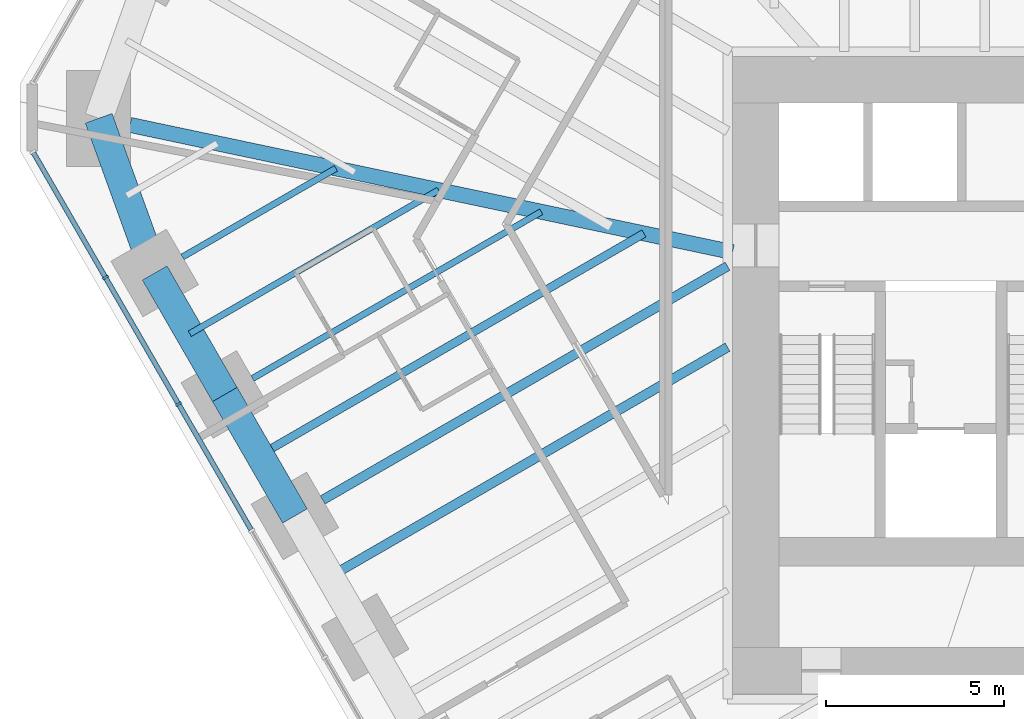
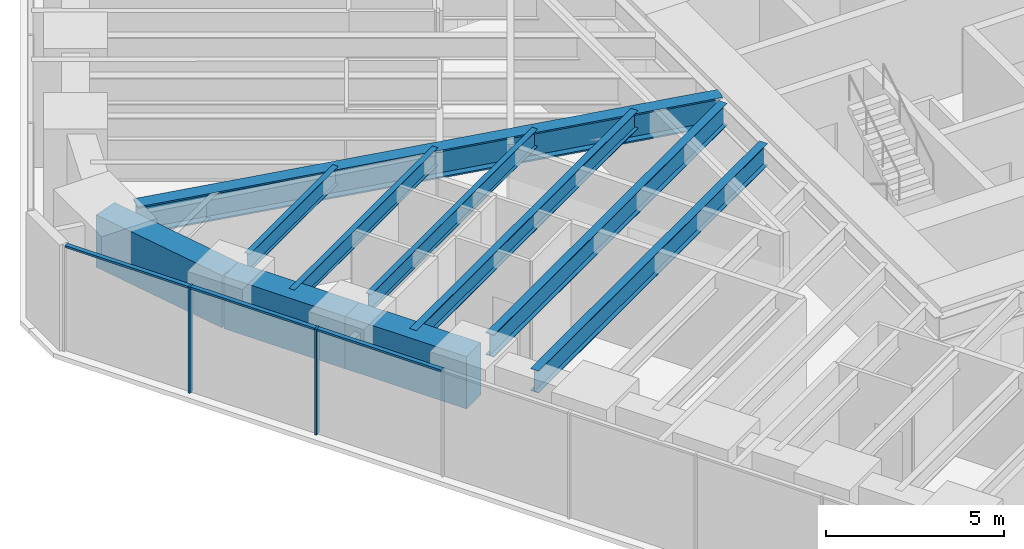
# One storey, part 3 of 17: 10 beams, 5 members, 1 element without a shape of its own.
"""IFC4 building model written with IfcOpenShell, lengths in metres."""

from ifc_helpers import new_model, si_unit, direction, frame, origin, origin_2d, place, context, subcontext, project, spatial, rectangle, i_section, extrude, material, material_profile, profile_set, type_object, element, aggregate, save


model = new_model("IFC4")

# Units and contexts
model_context = context("Model", 3, precision=1e-05, world=origin(), true_north=direction((0.0, 1.0)))
body_context = subcontext(model_context, "Body", "Model", "MODEL_VIEW")
ifc_project = project(units=[si_unit("LENGTHUNIT", "METRE"), si_unit("AREAUNIT", "SQUARE_METRE"), si_unit("VOLUMEUNIT", "CUBIC_METRE"), si_unit("PLANEANGLEUNIT", "RADIAN"), si_unit("MASSUNIT", "GRAM", prefix="KILO")], contexts=[model_context])

# Site, building, storey
site_placement = place(None, origin())
site = spatial("IfcSite", under=ifc_project, at=site_placement, CompositionType="ELEMENT")
building_placement = place(site_placement, origin())
building = spatial("IfcBuilding", under=site, at=building_placement, Name="Sandreach Pilgrim Tower", CompositionType="ELEMENT")
storey_placement = place(building_placement, frame((0.0, 0.0, 108.199951171875)))
storey = spatial("IfcBuildingStorey", under=building, at=storey_placement, Name="L26", CompositionType="ELEMENT", Elevation=108.199951171875)

# Curtain wall, members
ifc_material_1 = material(Name="Aluminium framed curtain wall", Category="aluminium")
curtain_wall_type = type_object("IfcCurtainWallType", Name="Hotel tower curtain wall", PredefinedType="NOTDEFINED", material=ifc_material_1)
curtain_wall_placement = place(storey_placement, origin())
curtain_wall = element("IfcCurtainWall", 1, at=curtain_wall_placement, inside=storey, type_object=curtain_wall_type, Name="CW-2 L26 SW", PredefinedType="NOTDEFINED")
ifc_material_2 = material(Name="Aluminium extrusion", Category="aluminium")
ifc_material_profile_1 = material_profile(ifc_material_2, rectangle(XDim=0.06494140625, YDim=0.179931640625, at=origin_2d()), Name="CW-2M 65X180")
ifc_profile_set_1 = profile_set([ifc_material_profile_1], Name="Aluminium extrusion")
member_type_1 = type_object("IfcMemberType", Name="CW-2 mullion", PredefinedType="MULLION", material=ifc_profile_set_1)
member_1_placement = place(storey_placement, frame((-24.614013671875, -2.35498046875, 0.0), z_axis=(0.0, 0.0, 1.0), x_axis=(-0.5, 0.866025403784, 0.0)))
member_1 = element("IfcMember", 2, at=member_1_placement, type_object=member_type_1, Name="CW-2 mullion 8", PredefinedType="MULLION", context=body_context, shape_type="SweptSolid", body=[
    extrude(rectangle(XDim=0.06494140625, YDim=0.179931640625, at=origin_2d()), origin(), (0.0, 0.0, 1.0), 3.64013671875),
])
member_2_placement = place(storey_placement, frame((-26.66748046875, 1.20166015625, 0.0), z_axis=(0.0, 0.0, 1.0), x_axis=(-0.5, 0.866025403784, 0.0)))
member_2 = element("IfcMember", 3, at=member_2_placement, type_object=member_type_1, Name="CW-2 mullion 9", PredefinedType="MULLION", context=body_context, shape_type="SweptSolid", body=[
    extrude(rectangle(XDim=0.06494140625, YDim=0.179931640625, at=origin_2d()), origin(), (0.0, 0.0, 1.0), 3.64013671875),
])
ifc_material_3 = material(Name="Aluminium extrusion", Category="aluminium")
ifc_material_profile_2 = material_profile(ifc_material_3, rectangle(XDim=0.139892578125, YDim=0.070068359375, at=origin_2d()), Name="CW-2T 140X70")
ifc_profile_set_2 = profile_set([ifc_material_profile_2], Name="Aluminium extrusion")
member_type_2 = type_object("IfcMemberType", Name="CW-2 transom", PredefinedType="USERDEFINED", material=ifc_profile_set_2)
member_3_placement = place(storey_placement, frame((-22.57666015625, -5.883544921875, 3.60498046875), z_axis=(-0.500023973715, 0.866011562111, 0.0), x_axis=(-0.866011562111, -0.500023973715, 0.0)))
member_3 = element("IfcMember", 4, at=member_3_placement, type_object=member_type_2, Name="CW-2 head transom 7", ObjectType="TRANSOM", PredefinedType="USERDEFINED", context=body_context, shape_type="SweptSolid", body=[
    extrude(rectangle(XDim=0.139892578125, YDim=0.070068359375, at=origin_2d()), origin(), (0.0, 0.0, 1.0), 4.041748046875),
])
member_4_placement = place(storey_placement, frame((-24.630126953125, -2.326904296875, 3.60498046875), z_axis=(-0.499997818338, 0.866026663364, 0.0), x_axis=(-0.866026663364, -0.499997818338, 0.0)))
member_4 = element("IfcMember", 5, at=member_4_placement, type_object=member_type_2, Name="CW-2 head transom 8", ObjectType="TRANSOM", PredefinedType="USERDEFINED", context=body_context, shape_type="SweptSolid", body=[
    extrude(rectangle(XDim=0.139892578125, YDim=0.070068359375, at=origin_2d()), origin(), (0.0, 0.0, 1.0), 4.0419921875),
])
member_5_placement = place(storey_placement, frame((-26.68359375, 1.229736328125, 3.60498046875), z_axis=(-0.500015851672, 0.866016251624, 0.0), x_axis=(-0.866016251624, -0.500015851672, 0.0)))
member_5 = element("IfcMember", 6, at=member_5_placement, type_object=member_type_2, Name="CW-2 head transom 9", ObjectType="TRANSOM", PredefinedType="USERDEFINED", context=body_context, shape_type="SweptSolid", body=[
    extrude(rectangle(XDim=0.139892578125, YDim=0.070068359375, at=origin_2d()), origin(), (0.0, 0.0, 1.0), 4.009521484375),
])
aggregate(curtain_wall, [member_1, member_2, member_3, member_4, member_5])

# Beams
ifc_material_4 = material(Name="Steel ASTM A992 Grade 50", Category="steel")
ifc_material_profile_3 = material_profile(ifc_material_4, i_section(OverallWidth=0.424072265625, OverallDepth=0.965087890625, WebThickness=0.028564453125, FlangeThickness=0.051025390625, at=origin_2d()), Name="W36X361")
ifc_profile_set_3 = profile_set([ifc_material_profile_3], Name="Steel ASTM A992 Grade 50")
beam_type_1 = type_object("IfcBeamType", Name="Corner girder W36X361", PredefinedType="BEAM", material=ifc_profile_set_3)
beam_1_placement = place(storey_placement, frame((-25.976806640625, 5.484619140625, 3.157470703125), z_axis=(0.978427882284, -0.206588671447, 0.0), x_axis=(0.206588671447, 0.978427882284, 0.0)))
element("IfcBeam", 7, at=beam_1_placement, inside=storey, type_object=beam_type_1, Name="BM L26 CG35", PredefinedType="BEAM", context=body_context, shape_type="SweptSolid", body=[
    extrude(i_section(OverallWidth=0.424072265625, OverallDepth=0.965087890625, WebThickness=0.028564453125, FlangeThickness=0.051025390625, at=origin_2d()), origin(), (0.0, 0.0, 1.0), 17.300048828125),
])
ifc_material_5 = material(Name="Steel ASTM A992 Grade 50", Category="steel")
ifc_material_profile_4 = material_profile(ifc_material_5, i_section(OverallWidth=0.1787109375, OverallDepth=0.60205078125, WebThickness=0.010986328125, FlangeThickness=0.014892578125, at=origin_2d()), Name="W24X62")
ifc_profile_set_4 = profile_set([ifc_material_profile_4], Name="Steel ASTM A992 Grade 50")
beam_type_2 = type_object("IfcBeamType", Name="Floor beam W24X62", PredefinedType="BEAM", material=ifc_profile_set_4)
beam_2_placement = place(storey_placement, frame((-22.534423828125, -1.63671875, 3.339111328125), z_axis=(0.866012351917, 0.500022605817, 0.0), x_axis=(-0.500022605817, 0.866012351917, 0.0)))
element("IfcBeam", 8, at=beam_2_placement, inside=storey, type_object=beam_type_2, Name="BM L26 F33", PredefinedType="BEAM", context=body_context, shape_type="SweptSolid", body=[
    extrude(i_section(OverallWidth=0.1787109375, OverallDepth=0.60205078125, WebThickness=0.010986328125, FlangeThickness=0.014892578125, at=origin_2d()), origin(), (0.0, 0.0, 1.0), 9.3642578125),
])
beam_3_placement = place(storey_placement, frame((-24.50439453125, 1.775390625, 3.339111328125), z_axis=(0.866024645457, 0.500001313459, 0.0), x_axis=(-0.500001313459, 0.866024645457, 0.0)))
element("IfcBeam", 9, at=beam_3_placement, inside=storey, type_object=beam_type_2, Name="BM L26 F34", PredefinedType="BEAM", context=body_context, shape_type="SweptSolid", body=[
    extrude(i_section(OverallWidth=0.1787109375, OverallDepth=0.60205078125, WebThickness=0.010986328125, FlangeThickness=0.014892578125, at=origin_2d()), origin(), (0.0, 0.0, 1.0), 4.9765625),
])
beam_4_placement = place(storey_placement, frame((-24.298828125, -0.380615234375, 3.339111328125), z_axis=(0.866022864518, 0.500004398112, 0.0), x_axis=(-0.500004398112, 0.866022864518, 0.0)))
element("IfcBeam", 10, at=beam_4_placement, inside=storey, type_object=beam_type_2, Name="BM L26 FM33", PredefinedType="BEAM", context=body_context, shape_type="SweptSolid", body=[
    extrude(i_section(OverallWidth=0.1787109375, OverallDepth=0.60205078125, WebThickness=0.010986328125, FlangeThickness=0.014892578125, at=origin_2d()), origin(), (0.0, 0.0, 1.0), 8.0703125),
])
ifc_material_6 = material(Name="Steel ASTM A992 Grade 50", Category="steel")
ifc_material_profile_5 = material_profile(ifc_material_6, i_section(OverallWidth=0.23046875, OverallDepth=0.6171875, WebThickness=0.01318359375, FlangeThickness=0.022216796875, at=origin_2d()), Name="W24X94")
ifc_profile_set_5 = profile_set([ifc_material_profile_5], Name="Steel ASTM A992 Grade 50")
beam_type_3 = type_object("IfcBeamType", Name="Floor beam W24X94", PredefinedType="BEAM", material=ifc_profile_set_5)
beam_5_placement = place(storey_placement, frame((-22.328857421875, -3.792724609375, 3.33154296875), z_axis=(0.866019150617, 0.500010830648, 0.0), x_axis=(-0.500010830648, 0.866019150617, 0.0)))
element("IfcBeam", 11, at=beam_5_placement, inside=storey, type_object=beam_type_3, Name="BM L26 FM32", PredefinedType="BEAM", context=body_context, shape_type="SweptSolid", body=[
    extrude(i_section(OverallWidth=0.23046875, OverallDepth=0.6171875, WebThickness=0.01318359375, FlangeThickness=0.022216796875, at=origin_2d()), origin(), (0.0, 0.0, 1.0), 12.458251953125),
])
ifc_material_7 = material(Name="Steel ASTM A992 Grade 50", Category="steel")
ifc_material_profile_6 = material_profile(ifc_material_7, i_section(OverallWidth=0.2666015625, OverallDepth=0.761962890625, WebThickness=0.014404296875, FlangeThickness=0.021484375, at=origin_2d()), Name="W30X116")
ifc_profile_set_6 = profile_set([ifc_material_profile_6], Name="Steel ASTM A992 Grade 50")
beam_type_4 = type_object("IfcBeamType", Name="Floor beam W30X116", PredefinedType="BEAM", material=ifc_profile_set_6)
beam_6_placement = place(storey_placement, frame((-20.564453125, -5.048828125, 3.259033203125), z_axis=(0.866022715736, 0.500004655807, 0.0), x_axis=(-0.500004655807, 0.866022715736, 0.0)))
element("IfcBeam", 12, at=beam_6_placement, inside=storey, type_object=beam_type_4, Name="BM L26 F32", PredefinedType="BEAM", context=body_context, shape_type="SweptSolid", body=[
    extrude(i_section(OverallWidth=0.2666015625, OverallDepth=0.761962890625, WebThickness=0.014404296875, FlangeThickness=0.021484375, at=origin_2d()), origin(), (0.0, 0.0, 1.0), 13.130126953125),
])
beam_7_placement = place(storey_placement, frame((-20.35888671875, -7.204833984375, 3.259033203125), z_axis=(0.866021609098, 0.500006572533, 0.0), x_axis=(-0.500006572533, 0.866021609098, 0.0)))
element("IfcBeam", 13, at=beam_7_placement, inside=storey, type_object=beam_type_4, Name="BM L26 FM31", PredefinedType="BEAM", context=body_context, shape_type="SweptSolid", body=[
    extrude(i_section(OverallWidth=0.2666015625, OverallDepth=0.761962890625, WebThickness=0.014404296875, FlangeThickness=0.021484375, at=origin_2d()), origin(), (0.0, 0.0, 1.0), 12.892822265625),
])
ifc_material_8 = material(Name="Concrete 10000 psi", Category="concrete")
ifc_material_profile_7 = material_profile(ifc_material_8, rectangle(XDim=0.800048828125, YDim=1.800048828125, at=origin_2d()), Name="RC800X1800")
ifc_profile_set_7 = profile_set([ifc_material_profile_7], Name="Concrete 10000 psi")
beam_type_5 = type_object("IfcBeamType", Name="Spandrel beam RC800X1800", PredefinedType="SPANDREL", material=ifc_profile_set_7)
for number, where, z_axis, x_axis, name in (
    (14, (-21.343994140625, -5.498779296875, 2.739990234375), (-0.49999779889, 0.866026674592, 0.0), (-0.866026674592, -0.49999779889, 0.0), "BM L26 SP32"),
    (15, (-23.31396484375, -2.086669921875, 2.739990234375), (-0.49999779889, 0.866026674592, 0.0), (-0.866026674592, -0.49999779889, 0.0), "BM L26 SP33"),
):
    element("IfcBeam", number, at=place(storey_placement, frame(where, z_axis=z_axis, x_axis=x_axis)), inside=storey, type_object=beam_type_5, Name=name, PredefinedType="SPANDREL", context=body_context, shape_type="SweptSolid", body=[
        extrude(rectangle(XDim=0.800048828125, YDim=1.800048828125, at=origin_2d()), origin(), (0.0, 0.0, 1.0), 3.93994140625),
    ])
beam_8_placement = place(storey_placement, frame((-25.283935546875, 1.325439453125, 2.739990234375), z_axis=(-0.340453163563, 0.940261476091, 0.0), x_axis=(-0.940261476091, -0.340453163563, 0.0)))
element("IfcBeam", 16, at=beam_8_placement, inside=storey, type_object=beam_type_5, Name="BM L26 SP34", PredefinedType="SPANDREL", context=body_context, shape_type="SweptSolid", body=[
    extrude(rectangle(XDim=0.800048828125, YDim=1.800048828125, at=origin_2d()), origin(), (0.0, 0.0, 1.0), 4.62109375),
])

save(model, "model.ifc")
